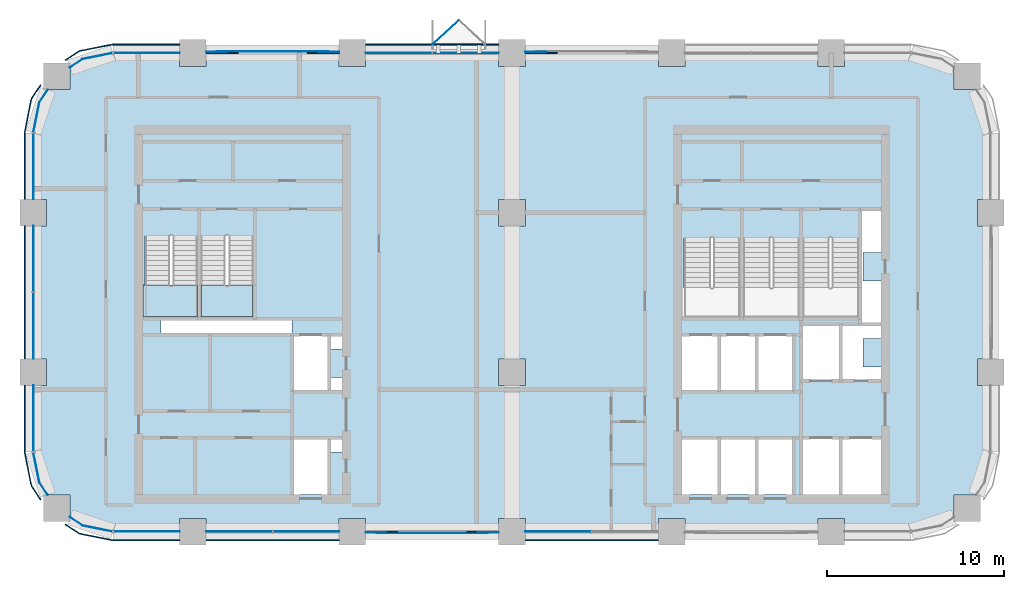
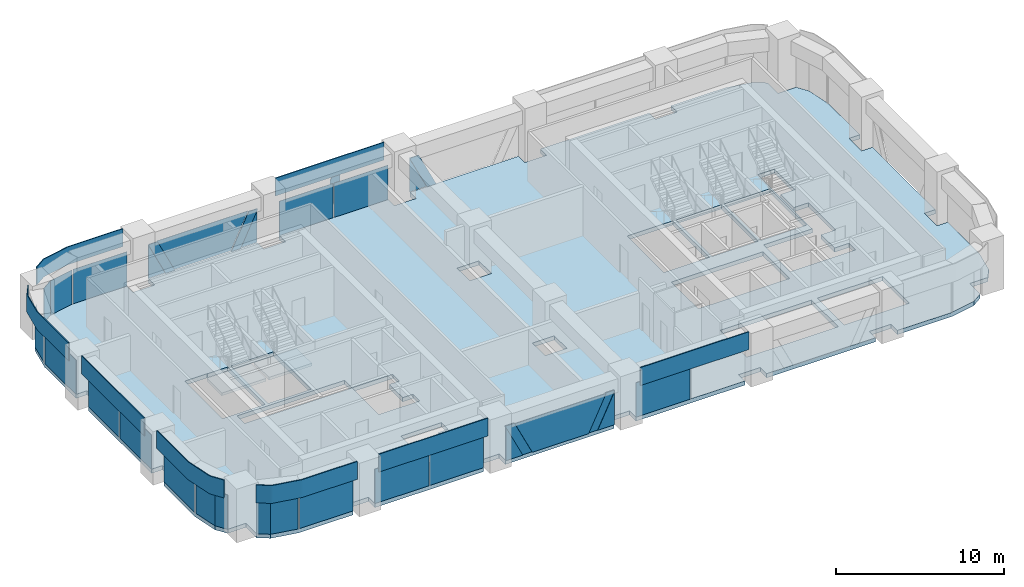
# One storey, part 7 of 14: 36 plates, 3 slabs, 13 elements without a shape of their own.
"""IFC4 building model written with IfcOpenShell, lengths in metres."""

from ifc_helpers import new_model, si_unit, direction, frame, origin, origin_2d, place, context, subcontext, project, spatial, polyline, rectangle, outline, extrude, material, layer, layer_set, type_object, element, aggregate, save


model = new_model("IFC4")

# Units and contexts
model_context = context("Model", 3, precision=1e-05, world=origin(), true_north=direction((0.0, 1.0)))
body_context = subcontext(model_context, "Body", "Model", "MODEL_VIEW")
ifc_project = project(units=[si_unit("LENGTHUNIT", "METRE"), si_unit("AREAUNIT", "SQUARE_METRE"), si_unit("VOLUMEUNIT", "CUBIC_METRE"), si_unit("PLANEANGLEUNIT", "RADIAN"), si_unit("MASSUNIT", "GRAM", prefix="KILO")], contexts=[model_context])

# Site, building, storey
site_placement = place(None, origin())
site = spatial("IfcSite", under=ifc_project, at=site_placement, CompositionType="ELEMENT")
building_placement = place(site_placement, origin())
building = spatial("IfcBuilding", under=site, at=building_placement, Name="Tessera Arch", CompositionType="ELEMENT")
storey_placement = place(building_placement, frame((0.0, 0.0, 177.800048828125)))
storey = spatial("IfcBuildingStorey", under=building, at=storey_placement, Name="L42", CompositionType="ELEMENT", Elevation=177.800048828125)

# Curtain wall, plates
ifc_material_1 = material(Name="CW1 curtain wall")
curtain_wall_type_1 = type_object("IfcCurtainWallType", Name="CW1 curtain wall", PredefinedType="NOTDEFINED", material=ifc_material_1)
curtain_wall_1_placement = place(storey_placement, origin())
curtain_wall_1 = element("IfcCurtainWall", 1, at=curtain_wall_1_placement, inside=storey, type_object=curtain_wall_type_1, Name="CW1 curtain wall N54.0/3 L42", PredefinedType="NOTDEFINED")
ifc_material_2 = material(Name="Clear low-e glass", Category="glass")
ifc_material_3 = material(Name="Clear low-e glass", Category="glass")
ifc_layer_1 = layer(ifc_material_3, 0.028076171875)
ifc_layer_set_1 = layer_set([ifc_layer_1], Name="CW1 glass panel")
plate_type_1 = type_object("IfcPlateType", Name="CW1 glass panel", PredefinedType="CURTAIN_PANEL", material=ifc_layer_set_1)
plate_1_placement = place(storey_placement, frame((24.389892578125, 54.0, 0.0), z_axis=(0.0, 0.0, 1.0), x_axis=(-1.0, 0.0, 0.0)))
plate_1 = element("IfcPlate", 2, at=plate_1_placement, type_object=plate_type_1, material=ifc_material_2, Name="CW1 glass panel N54.0/3 1.1.1", PredefinedType="CURTAIN_PANEL", context=body_context, shape_type="SweptSolid", body=[
    extrude(rectangle(XDim=3.719970703125, YDim=0.028076171875, at=origin_2d()), origin(), (0.0, 0.0, 1.0), 2.5),
])
plate_2_placement = place(storey_placement, frame((20.610107421875, 54.0, 0.0), z_axis=(0.0, 0.0, 1.0), x_axis=(-1.0, 0.0, 0.0)))
plate_2 = element("IfcPlate", 3, at=plate_2_placement, type_object=plate_type_1, material=ifc_material_2, Name="CW1 glass panel N54.0/3 1.2.1", PredefinedType="CURTAIN_PANEL", context=body_context, shape_type="SweptSolid", body=[
    extrude(rectangle(XDim=3.719970703125, YDim=0.028076171875, at=origin_2d()), origin(), (0.0, 0.0, 1.0), 2.5),
])

curtain_wall_2_placement = place(storey_placement, origin())
curtain_wall_2 = element("IfcCurtainWall", 4, at=curtain_wall_2_placement, inside=storey, type_object=curtain_wall_type_1, Name="CW1 curtain wall W0.27/1 L42", PredefinedType="NOTDEFINED")
plate_3_placement = place(storey_placement, frame((0.0, 42.389892578125, 0.0), z_axis=(0.0, 0.0, 1.0), x_axis=(0.0, -1.0, 0.0)))
plate_3 = element("IfcPlate", 5, at=plate_3_placement, type_object=plate_type_1, material=ifc_material_2, Name="CW1 glass panel W0.27/1 1.1.1", PredefinedType="CURTAIN_PANEL", context=body_context, shape_type="SweptSolid", body=[
    extrude(rectangle(XDim=3.719970703125, YDim=0.028076171875, at=origin_2d()), origin(), (0.0, 0.0, 1.0), 2.5),
])
plate_4_placement = place(storey_placement, frame((0.0, 38.610107421875, 0.0), z_axis=(0.0, 0.0, 1.0), x_axis=(0.0, -1.0, 0.0)))
plate_4 = element("IfcPlate", 6, at=plate_4_placement, type_object=plate_type_1, material=ifc_material_2, Name="CW1 glass panel W0.27/1 1.2.1", PredefinedType="CURTAIN_PANEL", context=body_context, shape_type="SweptSolid", body=[
    extrude(rectangle(XDim=3.719970703125, YDim=0.028076171875, at=origin_2d()), origin(), (0.0, 0.0, 1.0), 2.5),
])

curtain_wall_3_placement = place(storey_placement, origin())
curtain_wall_3 = element("IfcCurtainWall", 7, at=curtain_wall_3_placement, inside=storey, type_object=curtain_wall_type_1, Name="CW1 curtain wall S27.0/1 L42", PredefinedType="NOTDEFINED")
plate_5_placement = place(storey_placement, frame((11.610107421875, 27.0, 0.0), z_axis=(0.0, 0.0, 1.0), x_axis=(1.0, 0.0, 0.0)))
plate_5 = element("IfcPlate", 8, at=plate_5_placement, type_object=plate_type_1, material=ifc_material_2, Name="CW1 glass panel S27.0/1 1.1.1", PredefinedType="CURTAIN_PANEL", context=body_context, shape_type="SweptSolid", body=[
    extrude(rectangle(XDim=3.719970703125, YDim=0.028076171875, at=origin_2d()), origin(), (0.0, 0.0, 1.0), 2.5),
])
plate_6_placement = place(storey_placement, frame((15.389892578125, 27.0, 0.0), z_axis=(0.0, 0.0, 1.0), x_axis=(1.0, 0.0, 0.0)))
plate_6 = element("IfcPlate", 9, at=plate_6_placement, type_object=plate_type_1, material=ifc_material_2, Name="CW1 glass panel S27.0/1 1.2.1", PredefinedType="CURTAIN_PANEL", context=body_context, shape_type="SweptSolid", body=[
    extrude(rectangle(XDim=3.719970703125, YDim=0.028076171875, at=origin_2d()), origin(), (0.0, 0.0, 1.0), 2.5),
])

# Curtain wall, plate
curtain_wall_4_placement = place(storey_placement, origin())
curtain_wall_4 = element("IfcCurtainWall", 10, at=curtain_wall_4_placement, inside=storey, type_object=curtain_wall_type_1, Name="CW1 curtain wall S27.0/3 L42", PredefinedType="NOTDEFINED")
plate_7_placement = place(storey_placement, frame((29.610107421875, 27.0, 0.0), z_axis=(0.0, 0.0, 1.0), x_axis=(1.0, 0.0, 0.0)))
plate_7 = element("IfcPlate", 11, at=plate_7_placement, type_object=plate_type_1, material=ifc_material_2, Name="CW1 glass panel S27.0/3 1.1.1", PredefinedType="CURTAIN_PANEL", context=body_context, shape_type="SweptSolid", body=[
    extrude(rectangle(XDim=3.719970703125, YDim=0.028076171875, at=origin_2d()), origin(), (0.0, 0.0, 1.0), 2.5),
])

# Plate
ifc_material_4 = material(Name="Pale anodised aluminium panel", Category="aluminium")
ifc_layer_2 = layer(ifc_material_4, 0.06005859375)
ifc_layer_set_2 = layer_set([ifc_layer_2], Name="CW1 spandrel panel")
plate_type_2 = type_object("IfcPlateType", Name="CW1 spandrel panel", PredefinedType="CURTAIN_PANEL", material=ifc_layer_set_2)
plate_8_placement = place(storey_placement, frame((22.5, 54.47998046875, 2.60009765625), z_axis=(0.0, 0.0, 1.0), x_axis=(-1.0, 0.0, 0.0)))
plate_8 = element("IfcPlate", 12, at=plate_8_placement, type_object=plate_type_2, Name="CW1 spandrel panel N54.0/3", PredefinedType="CURTAIN_PANEL", context=body_context, shape_type="SweptSolid", body=[
    extrude(rectangle(XDim=7.5, YDim=0.06005859375, at=origin_2d()), origin(), (0.0, 0.0, 1.0), 1.300048828125),
])

aggregate(curtain_wall_1, [plate_1, plate_2, plate_8])

plate_9_placement = place(storey_placement, frame((-0.47998046875, 40.5, 2.60009765625), z_axis=(0.0, 0.0, 1.0), x_axis=(0.0, -1.0, 0.0)))
plate_9 = element("IfcPlate", 13, at=plate_9_placement, type_object=plate_type_2, Name="CW1 spandrel panel W0.27/1", PredefinedType="CURTAIN_PANEL", context=body_context, shape_type="SweptSolid", body=[
    extrude(rectangle(XDim=7.5, YDim=0.06005859375, at=origin_2d()), origin(), (0.0, 0.0, 1.0), 1.300048828125),
])

aggregate(curtain_wall_2, [plate_3, plate_4, plate_9])

plate_10_placement = place(storey_placement, frame((13.5, 26.52001953125, 2.60009765625), z_axis=(0.0, 0.0, 1.0), x_axis=(1.0, 0.0, 0.0)))
plate_10 = element("IfcPlate", 14, at=plate_10_placement, type_object=plate_type_2, Name="CW1 spandrel panel S27.0/1", PredefinedType="CURTAIN_PANEL", context=body_context, shape_type="SweptSolid", body=[
    extrude(rectangle(XDim=7.5, YDim=0.06005859375, at=origin_2d()), origin(), (0.0, 0.0, 1.0), 1.300048828125),
])

aggregate(curtain_wall_3, [plate_5, plate_6, plate_10])

plate_11_placement = place(storey_placement, frame((31.5, 26.52001953125, 2.60009765625), z_axis=(0.0, 0.0, 1.0), x_axis=(1.0, 0.0, 0.0)))
plate_11 = element("IfcPlate", 15, at=plate_11_placement, type_object=plate_type_2, Name="CW1 spandrel panel S27.0/3", PredefinedType="CURTAIN_PANEL", context=body_context, shape_type="SweptSolid", body=[
    extrude(rectangle(XDim=7.5, YDim=0.06005859375, at=origin_2d()), origin(), (0.0, 0.0, 1.0), 1.300048828125),
])

aggregate(curtain_wall_4, [plate_7, plate_11])

# Curtain wall, plates
ifc_material_5 = material(Name="CW2 curtain wall")
curtain_wall_type_2 = type_object("IfcCurtainWallType", Name="CW2 curtain wall", PredefinedType="NOTDEFINED", material=ifc_material_5)
curtain_wall_5_placement = place(storey_placement, origin())
curtain_wall_5 = element("IfcCurtainWall", 16, at=curtain_wall_5_placement, inside=storey, type_object=curtain_wall_type_2, Name="CW2 curtain wall N54.0/5 L42", PredefinedType="NOTDEFINED")
ifc_material_6 = material(Name="Clear low-e glass", Category="glass")
ifc_layer_3 = layer(ifc_material_6, 0.028076171875)
ifc_layer_set_3 = layer_set([ifc_layer_3], Name="CW2 glass panel")
plate_type_3 = type_object("IfcPlateType", Name="CW2 glass panel", PredefinedType="CURTAIN_PANEL", material=ifc_layer_set_3)
plate_12_placement = place(storey_placement, frame((6.39501953125, 54.0, 0.0), z_axis=(0.0, 0.0, 1.0), x_axis=(-1.0, 0.0, 0.0)))
plate_12 = element("IfcPlate", 17, at=plate_12_placement, type_object=plate_type_3, material=ifc_material_2, Name="CW2 glass panel N54.0/5 1.1", PredefinedType="CURTAIN_PANEL", context=body_context, shape_type="SweptSolid", body=[
    extrude(rectangle(XDim=3.7099609375, YDim=0.028076171875, at=origin_2d()), origin(), (0.0, 0.0, 1.0), 2.5),
])
plate_13_placement = place(storey_placement, origin())
plate_13 = element("IfcPlate", 18, at=plate_13_placement, type_object=plate_type_3, material=ifc_material_2, Name="CW2 curved glass panel N54.0/5 2.1", PredefinedType="CURTAIN_PANEL", context=body_context, shape_type="SweptSolid", body=[
    extrude(outline(polyline([(2.783447265625, 53.644287109375), (4.46337890625, 53.978515625), (4.4580078125, 54.005859375), (2.7724609375, 53.670654296875), (2.060302734375, 53.19482421875), (2.07568359375, 53.17138671875), (2.783447265625, 53.644287109375)])), origin(), (0.0, 0.0, 1.0), 2.5),
])

curtain_wall_6_placement = place(storey_placement, origin())
curtain_wall_6 = element("IfcCurtainWall", 19, at=curtain_wall_6_placement, inside=storey, type_object=curtain_wall_type_2, Name="CW2 curtain wall W0.27/0 L42", PredefinedType="NOTDEFINED")
plate_14_placement = place(storey_placement, frame((0.0, 47.60498046875, 0.0), z_axis=(0.0, 0.0, 1.0), x_axis=(0.0, -1.0, 0.0)))
plate_14 = element("IfcPlate", 20, at=plate_14_placement, type_object=plate_type_3, material=ifc_material_2, Name="CW2 glass panel W0.27/0 1.1", PredefinedType="CURTAIN_PANEL", context=body_context, shape_type="SweptSolid", body=[
    extrude(rectangle(XDim=3.7099609375, YDim=0.028076171875, at=origin_2d()), origin(), (0.0, 0.0, 1.0), 2.5),
])
plate_15_placement = place(storey_placement, origin())
plate_15 = element("IfcPlate", 21, at=plate_15_placement, type_object=plate_type_3, material=ifc_material_2, Name="CW2 curved glass panel W0.27/0 2.1", PredefinedType="CURTAIN_PANEL", context=body_context, shape_type="SweptSolid", body=[
    extrude(outline(polyline([(0.355712890625, 51.216552734375), (0.82861328125, 51.92431640625), (0.80517578125, 51.939697265625), (0.329345703125, 51.2275390625), (-0.005859375, 49.5419921875), (0.021484375, 49.53662109375), (0.355712890625, 51.216552734375)])), origin(), (0.0, 0.0, 1.0), 2.5),
])

curtain_wall_7_placement = place(storey_placement, origin())
curtain_wall_7 = element("IfcCurtainWall", 22, at=curtain_wall_7_placement, inside=storey, type_object=curtain_wall_type_2, Name="CW2 curtain wall W0.27/2 L42", PredefinedType="NOTDEFINED")
plate_16_placement = place(storey_placement, frame((0.0, 33.39501953125, 0.0), z_axis=(0.0, 0.0, 1.0), x_axis=(0.0, -1.0, 0.0)))
plate_16 = element("IfcPlate", 23, at=plate_16_placement, type_object=plate_type_3, material=ifc_material_2, Name="CW2 glass panel W0.27/2 1.1", PredefinedType="CURTAIN_PANEL", context=body_context, shape_type="SweptSolid", body=[
    extrude(rectangle(XDim=3.7099609375, YDim=0.028076171875, at=origin_2d()), origin(), (0.0, 0.0, 1.0), 2.5),
])
plate_17_placement = place(storey_placement, origin())
plate_17 = element("IfcPlate", 24, at=plate_17_placement, type_object=plate_type_3, material=ifc_material_2, Name="CW2 curved glass panel W0.27/2 2.1", PredefinedType="CURTAIN_PANEL", context=body_context, shape_type="SweptSolid", body=[
    extrude(outline(polyline([(0.355712890625, 29.783447265625), (0.021484375, 31.46337890625), (-0.005859375, 31.4580078125), (0.329345703125, 29.7724609375), (0.80517578125, 29.060302734375), (0.82861328125, 29.07568359375), (0.355712890625, 29.783447265625)])), origin(), (0.0, 0.0, 1.0), 2.5),
])

curtain_wall_8_placement = place(storey_placement, origin())
curtain_wall_8 = element("IfcCurtainWall", 25, at=curtain_wall_8_placement, inside=storey, type_object=curtain_wall_type_2, Name="CW2 curtain wall S27.0/0 L42", PredefinedType="NOTDEFINED")
plate_18_placement = place(storey_placement, frame((6.39501953125, 27.0, 0.0), z_axis=(0.0, 0.0, 1.0), x_axis=(1.0, 0.0, 0.0)))
plate_18 = element("IfcPlate", 26, at=plate_18_placement, type_object=plate_type_3, material=ifc_material_2, Name="CW2 glass panel S27.0/0 1.1", PredefinedType="CURTAIN_PANEL", context=body_context, shape_type="SweptSolid", body=[
    extrude(rectangle(XDim=3.7099609375, YDim=0.028076171875, at=origin_2d()), origin(), (0.0, 0.0, 1.0), 2.5),
])
plate_19_placement = place(storey_placement, origin())
plate_19 = element("IfcPlate", 27, at=plate_19_placement, type_object=plate_type_3, material=ifc_material_2, Name="CW2 curved glass panel S27.0/0 2.1", PredefinedType="CURTAIN_PANEL", context=body_context, shape_type="SweptSolid", body=[
    extrude(outline(polyline([(2.783447265625, 27.355712890625), (2.07568359375, 27.82861328125), (2.060302734375, 27.80517578125), (2.7724609375, 27.329345703125), (4.4580078125, 26.994140625), (4.46337890625, 27.021484375), (2.783447265625, 27.355712890625)])), origin(), (0.0, 0.0, 1.0), 2.5),
])

# Plate
ifc_material_7 = material(Name="Pale anodised aluminium panel", Category="aluminium")
ifc_layer_4 = layer(ifc_material_7, 0.06005859375)
ifc_layer_set_4 = layer_set([ifc_layer_4], Name="CW2 spandrel panel")
plate_type_4 = type_object("IfcPlateType", Name="CW2 spandrel panel", PredefinedType="CURTAIN_PANEL", material=ifc_layer_set_4)
plate_20_placement = place(storey_placement, frame((0.0, 0.0, 2.599853515625)))
plate_20 = element("IfcPlate", 28, at=plate_20_placement, type_object=plate_type_4, Name="CW2 spandrel panel N54.0/5", PredefinedType="CURTAIN_PANEL", context=body_context, shape_type="SweptSolid", body=[
    extrude(outline(polyline([(4.500732421875, 54.449951171875), (8.25, 54.449951171875), (8.25, 54.510009765625), (4.499267578125, 54.510009765625), (4.449951171875, 54.507568359375), (4.401123046875, 54.500244140625), (2.677734375, 54.157470703125), (2.6298828125, 54.1455078125), (2.582763671875, 54.128662109375), (2.537353515625, 54.107421875), (2.4951171875, 54.08203125), (1.78466796875, 53.607177734375), (1.81787109375, 53.55712890625), (2.52734375, 54.03125), (2.565673828125, 54.054443359375), (2.605712890625, 54.0732421875), (2.647216796875, 54.088134765625), (2.69091796875, 54.09912109375), (4.411376953125, 54.441162109375), (4.455810546875, 54.44775390625), (4.500732421875, 54.449951171875)])), origin(), (0.0, 0.0, 1.0), 1.300048828125),
])

aggregate(curtain_wall_5, [plate_12, plate_13, plate_20])

plate_21_placement = place(storey_placement, frame((0.0, 0.0, 2.599853515625)))
plate_21 = element("IfcPlate", 29, at=plate_21_placement, type_object=plate_type_4, Name="CW2 spandrel panel W0.27/0", PredefinedType="CURTAIN_PANEL", context=body_context, shape_type="SweptSolid", body=[
    extrude(outline(polyline([(-0.03125, 51.47265625), (0.44287109375, 52.18212890625), (0.392822265625, 52.21533203125), (-0.08203125, 51.5048828125), (-0.107421875, 51.462646484375), (-0.128662109375, 51.417236328125), (-0.1455078125, 51.3701171875), (-0.157470703125, 51.322265625), (-0.500244140625, 49.598876953125), (-0.507568359375, 49.550048828125), (-0.510009765625, 49.500732421875), (-0.510009765625, 45.75), (-0.449951171875, 45.75), (-0.449951171875, 49.499267578125), (-0.44775390625, 49.544189453125), (-0.441162109375, 49.588623046875), (-0.09912109375, 51.30908203125), (-0.088134765625, 51.352783203125), (-0.0732421875, 51.394287109375), (-0.054443359375, 51.434326171875), (-0.03125, 51.47265625)])), origin(), (0.0, 0.0, 1.0), 1.300048828125),
])

aggregate(curtain_wall_6, [plate_14, plate_15, plate_21])

plate_22_placement = place(storey_placement, frame((0.0, 0.0, 2.599853515625)))
plate_22 = element("IfcPlate", 30, at=plate_22_placement, type_object=plate_type_4, Name="CW2 spandrel panel W0.27/2", PredefinedType="CURTAIN_PANEL", context=body_context, shape_type="SweptSolid", body=[
    extrude(outline(polyline([(-0.449951171875, 31.500732421875), (-0.449951171875, 35.25), (-0.510009765625, 35.25), (-0.510009765625, 31.499267578125), (-0.507568359375, 31.449951171875), (-0.500244140625, 31.401123046875), (-0.157470703125, 29.677734375), (-0.1455078125, 29.6298828125), (-0.128662109375, 29.582763671875), (-0.107421875, 29.537353515625), (-0.08203125, 29.4951171875), (0.392822265625, 28.78466796875), (0.44287109375, 28.81787109375), (-0.03125, 29.52734375), (-0.054443359375, 29.565673828125), (-0.0732421875, 29.605712890625), (-0.088134765625, 29.647216796875), (-0.09912109375, 29.69091796875), (-0.441162109375, 31.411376953125), (-0.44775390625, 31.455810546875), (-0.449951171875, 31.500732421875)])), origin(), (0.0, 0.0, 1.0), 1.300048828125),
])

aggregate(curtain_wall_7, [plate_16, plate_17, plate_22])

plate_23_placement = place(storey_placement, frame((0.0, 0.0, 2.599853515625)))
plate_23 = element("IfcPlate", 31, at=plate_23_placement, type_object=plate_type_4, Name="CW2 spandrel panel S27.0/0", PredefinedType="CURTAIN_PANEL", context=body_context, shape_type="SweptSolid", body=[
    extrude(outline(polyline([(2.52734375, 26.96875), (1.81787109375, 27.44287109375), (1.78466796875, 27.392822265625), (2.4951171875, 26.91796875), (2.537353515625, 26.892578125), (2.582763671875, 26.871337890625), (2.6298828125, 26.8544921875), (2.677734375, 26.842529296875), (4.401123046875, 26.499755859375), (4.449951171875, 26.492431640625), (4.499267578125, 26.489990234375), (8.25, 26.489990234375), (8.25, 26.550048828125), (4.500732421875, 26.550048828125), (4.455810546875, 26.55224609375), (4.411376953125, 26.558837890625), (2.69091796875, 26.90087890625), (2.647216796875, 26.911865234375), (2.605712890625, 26.9267578125), (2.565673828125, 26.945556640625), (2.52734375, 26.96875)])), origin(), (0.0, 0.0, 1.0), 1.300048828125),
])

aggregate(curtain_wall_8, [plate_18, plate_19, plate_23])

# Curtain wall, plate
ifc_material_8 = material(Name="CW3 curtain wall")
curtain_wall_type_3 = type_object("IfcCurtainWallType", Name="CW3 curtain wall", PredefinedType="NOTDEFINED", material=ifc_material_8)
curtain_wall_9_placement = place(storey_placement, origin())
curtain_wall_9 = element("IfcCurtainWall", 32, at=curtain_wall_9_placement, inside=storey, type_object=curtain_wall_type_3, Name="CW3 curtain wall N54.0/2 L42", PredefinedType="NOTDEFINED")
ifc_material_9 = material(Name="Pale anodised aluminium panel", Category="aluminium")
ifc_layer_5 = layer(ifc_material_9, 0.06005859375)
ifc_layer_set_5 = layer_set([ifc_layer_5], Name="CW3 diagonal panel")
plate_type_5 = type_object("IfcPlateType", Name="CW3 diagonal panel", PredefinedType="CURTAIN_PANEL", material=ifc_layer_set_5)
plate_24_placement = place(storey_placement, frame((27.75, 54.030029296875, 2.5), z_axis=(0.0, 1.0, 0.0), x_axis=(1.0, 0.0, 0.0)))
plate_24 = element("IfcPlate", 33, at=plate_24_placement, type_object=plate_type_5, Name="CW3 diagonal panel N54.0/2 1", PredefinedType="CURTAIN_PANEL", context=body_context, shape_type="SweptSolid", body=[
    extrude(outline(polyline([(0.0, 0.0), (0.608642578125, 0.0), (1.810546875, 2.5), (1.170166015625, 2.5), (0.0, 0.06591796875), (0.0, 0.0)])), origin(), (0.0, 0.0, -1.0), 0.06005859375),
])

# Curtain wall, plates
curtain_wall_10_placement = place(storey_placement, origin())
curtain_wall_10 = element("IfcCurtainWall", 34, at=curtain_wall_10_placement, inside=storey, type_object=curtain_wall_type_3, Name="CW3 curtain wall N54.0/4 L42", PredefinedType="NOTDEFINED")
plate_25_placement = place(storey_placement, frame((9.75, 54.030029296875, 2.5), z_axis=(0.0, 1.0, 0.0), x_axis=(1.0, 0.0, 0.0)))
plate_25 = element("IfcPlate", 35, at=plate_25_placement, type_object=plate_type_5, Name="CW3 diagonal panel N54.0/4 1", PredefinedType="CURTAIN_PANEL", context=body_context, shape_type="SweptSolid", body=[
    extrude(outline(polyline([(0.0, 0.0), (0.608642578125, 0.0), (1.810546875, 2.5), (1.170166015625, 2.5), (0.0, 0.06591796875), (0.0, 0.0)])), origin(), (0.0, 0.0, -1.0), 0.06005859375),
])
plate_26_placement = place(storey_placement, frame((17.25, 54.030029296875, 2.5), z_axis=(0.0, 1.0, 0.0), x_axis=(0.0, 0.0, -1.0)))
plate_26 = element("IfcPlate", 36, at=plate_26_placement, type_object=plate_type_5, Name="CW3 diagonal panel N54.0/4 2", PredefinedType="CURTAIN_PANEL", context=body_context, shape_type="SweptSolid", body=[
    extrude(outline(polyline([(0.0, 0.0), (0.06591796875, 0.0), (2.5, 1.170166015625), (2.5, 1.810546875), (0.0, 0.608642578125), (0.0, 0.0)])), origin(), (0.0, 0.0, -1.0), 0.06005859375),
])

curtain_wall_11_placement = place(storey_placement, origin())
curtain_wall_11 = element("IfcCurtainWall", 37, at=curtain_wall_11_placement, inside=storey, type_object=curtain_wall_type_3, Name="CW3 curtain wall S27.0/2 L42", PredefinedType="NOTDEFINED")
plate_27_placement = place(storey_placement, frame((26.25, 26.969970703125, 2.5), z_axis=(0.0, -1.0, 0.0), x_axis=(-1.0, 0.0, 0.0)))
plate_27 = element("IfcPlate", 38, at=plate_27_placement, type_object=plate_type_5, Name="CW3 diagonal panel S27.0/2 1", PredefinedType="CURTAIN_PANEL", context=body_context, shape_type="SweptSolid", body=[
    extrude(outline(polyline([(0.0, 0.0), (0.608642578125, 0.0), (1.810546875, 2.5), (1.170166015625, 2.5), (0.0, 0.06591796875), (0.0, 0.0)])), origin(), (0.0, 0.0, -1.0), 0.06005859375),
])
plate_28_placement = place(storey_placement, frame((18.75, 26.969970703125, 2.5), z_axis=(0.0, -1.0, 0.0), x_axis=(0.0, 0.0, -1.0)))
plate_28 = element("IfcPlate", 39, at=plate_28_placement, type_object=plate_type_5, Name="CW3 diagonal panel S27.0/2 2", PredefinedType="CURTAIN_PANEL", context=body_context, shape_type="SweptSolid", body=[
    extrude(outline(polyline([(0.0, 0.0), (0.06591796875, 0.0), (2.5, 1.170166015625), (2.5, 1.810546875), (0.0, 0.608642578125), (0.0, 0.0)])), origin(), (0.0, 0.0, -1.0), 0.06005859375),
])

# Plate
ifc_material_10 = material(Name="Clear low-e glass", Category="glass")
ifc_layer_6 = layer(ifc_material_10, 0.028076171875)
ifc_layer_set_6 = layer_set([ifc_layer_6], Name="CW3 glass panel")
plate_type_6 = type_object("IfcPlateType", Name="CW3 glass panel", PredefinedType="CURTAIN_PANEL", material=ifc_layer_set_6)
plate_29_placement = place(storey_placement, frame((27.75, 54.05810546875, 0.0), z_axis=(0.0, 1.0, 0.0), x_axis=(0.0, 0.0, 1.0)))
plate_29 = element("IfcPlate", 40, at=plate_29_placement, type_object=plate_type_6, material=ifc_material_2, Name="CW3 triangulated glass panel N54.0/2 3", PredefinedType="CURTAIN_PANEL", context=body_context, shape_type="SweptSolid", body=[
    extrude(outline(polyline([(0.0, 0.0), (2.43408203125, 0.0), (0.0, 1.170166015625), (0.0, 0.0)])), origin(), (0.0, 0.0, -1.0), 0.028076171875),
])

aggregate(curtain_wall_9, [plate_29, plate_24])

plate_30_placement = place(storey_placement, frame((17.25, 54.05810546875, 0.0), z_axis=(0.0, 1.0, 0.0), x_axis=(-1.0, 0.0, 0.0)))
plate_30 = element("IfcPlate", 41, at=plate_30_placement, type_object=plate_type_6, material=ifc_material_2, Name="CW3 triangulated glass panel N54.0/4 1", PredefinedType="CURTAIN_PANEL", context=body_context, shape_type="SweptSolid", body=[
    extrude(outline(polyline([(0.0, 0.0), (1.170166015625, 0.0), (0.0, 2.43408203125), (0.0, 0.0)])), origin(), (0.0, 0.0, -1.0), 0.028076171875),
])

plate_31_placement = place(storey_placement, frame((10.358642578125, 54.0859375, 2.5), z_axis=(0.0, 1.0, 0.0), x_axis=(1.0, 0.0, 0.0)))
plate_31 = element("IfcPlate", 42, at=plate_31_placement, type_object=plate_type_6, material=ifc_material_2, Name="CW3 triangulated glass panel N54.0/4 2", PredefinedType="CURTAIN_PANEL", context=body_context, shape_type="SweptSolid", body=[
    extrude(outline(polyline([(0.0, 0.0), (6.28271484375, 0.0), (5.080810546875, 2.5), (1.201904296875, 2.5), (0.0, 0.0)])), origin(), (0.0, 0.0, -1.0), 0.028076171875),
])

plate_32_placement = place(storey_placement, frame((9.75, 54.05810546875, 0.0), z_axis=(0.0, 1.0, 0.0), x_axis=(0.0, 0.0, 1.0)))
plate_32 = element("IfcPlate", 43, at=plate_32_placement, type_object=plate_type_6, material=ifc_material_2, Name="CW3 triangulated glass panel N54.0/4 3", PredefinedType="CURTAIN_PANEL", context=body_context, shape_type="SweptSolid", body=[
    extrude(outline(polyline([(0.0, 0.0), (2.43408203125, 0.0), (0.0, 1.170166015625), (0.0, 0.0)])), origin(), (0.0, 0.0, -1.0), 0.028076171875),
])

aggregate(curtain_wall_10, [plate_30, plate_31, plate_32, plate_25, plate_26])

plate_33_placement = place(storey_placement, frame((18.75, 26.94189453125, 0.0), z_axis=(0.0, -1.0, 0.0), x_axis=(1.0, 0.0, 0.0)))
plate_33 = element("IfcPlate", 44, at=plate_33_placement, type_object=plate_type_6, material=ifc_material_2, Name="CW3 triangulated glass panel S27.0/2 1", PredefinedType="CURTAIN_PANEL", context=body_context, shape_type="SweptSolid", body=[
    extrude(outline(polyline([(0.0, 0.0), (1.170166015625, 0.0), (0.0, 2.43408203125), (0.0, 0.0)])), origin(), (0.0, 0.0, -1.0), 0.028076171875),
])

plate_34_placement = place(storey_placement, frame((25.641357421875, 26.9140625, 2.5), z_axis=(0.0, -1.0, 0.0), x_axis=(-1.0, 0.0, 0.0)))
plate_34 = element("IfcPlate", 45, at=plate_34_placement, type_object=plate_type_6, material=ifc_material_2, Name="CW3 triangulated glass panel S27.0/2 2", PredefinedType="CURTAIN_PANEL", context=body_context, shape_type="SweptSolid", body=[
    extrude(outline(polyline([(0.0, 0.0), (6.28271484375, 0.0), (5.080810546875, 2.5), (1.201904296875, 2.5), (0.0, 0.0)])), origin(), (0.0, 0.0, -1.0), 0.028076171875),
])

plate_35_placement = place(storey_placement, frame((26.25, 26.94189453125, 0.0), z_axis=(0.0, -1.0, 0.0), x_axis=(0.0, 0.0, 1.0)))
plate_35 = element("IfcPlate", 46, at=plate_35_placement, type_object=plate_type_6, material=ifc_material_2, Name="CW3 triangulated glass panel S27.0/2 3", PredefinedType="CURTAIN_PANEL", context=body_context, shape_type="SweptSolid", body=[
    extrude(outline(polyline([(0.0, 0.0), (2.43408203125, 0.0), (0.0, 1.170166015625), (0.0, 0.0)])), origin(), (0.0, 0.0, -1.0), 0.028076171875),
])

aggregate(curtain_wall_11, [plate_33, plate_34, plate_35, plate_27, plate_28])

# Slab
ifc_material_11 = material(Name="Concrete C40/50", Category="concrete")
ifc_layer_7 = layer(ifc_material_11, 0.300048828125)
ifc_layer_set_7 = layer_set([ifc_layer_7], Name="Floor slab 300 Concrete C40/50")
slab_type_1 = type_object("IfcSlabType", Name="Floor slab 300 Concrete C40/50", PredefinedType="FLOOR", material=ifc_layer_set_7)
slab_1_placement = place(storey_placement, frame((0.0, 0.0, -0.300048828125)))
element("IfcSlab", 47, at=slab_1_placement, inside=storey, type_object=slab_type_1, Name="Floor slab L42 1", PredefinedType="FLOOR", context=body_context, shape_type="SweptSolid", body=[
    extrude(outline(polyline([(54.0, 31.5), (53.657470703125, 29.77783203125), (53.18310546875, 29.068115234375), (51.931884765625, 29.068115234375), (51.931884765625, 27.81689453125), (51.22216796875, 27.342529296875), (49.5, 27.0), (45.75, 27.0), (45.75, 27.75), (44.25, 27.75), (44.25, 27.0), (36.75, 27.0), (36.75, 27.75), (35.25, 27.75), (35.25, 27.0), (27.75, 27.0), (27.75, 27.75), (26.25, 27.75), (26.25, 27.0), (18.75, 27.0), (18.75, 27.75), (17.25, 27.75), (17.25, 27.0), (9.75, 27.0), (9.75, 27.75), (8.25, 27.75), (8.25, 27.0), (4.5, 27.0), (2.77783203125, 27.342529296875), (2.068115234375, 27.81689453125), (2.068115234375, 29.068115234375), (0.81689453125, 29.068115234375), (0.342529296875, 29.77783203125), (0.0, 31.5), (0.0, 35.25), (0.75, 35.25), (0.75, 36.75), (0.0, 36.75), (0.0, 44.25), (0.75, 44.25), (0.75, 45.75), (0.0, 45.75), (0.0, 49.5), (0.342529296875, 51.22216796875), (0.81689453125, 51.931884765625), (2.068115234375, 51.931884765625), (2.068115234375, 53.18310546875), (2.77783203125, 53.657470703125), (4.5, 54.0), (8.25, 54.0), (8.25, 53.25), (9.75, 53.25), (9.75, 54.0), (17.25, 54.0), (17.25, 53.25), (18.75, 53.25), (18.75, 54.0), (26.25, 54.0), (26.25, 53.25), (27.75, 53.25), (27.75, 54.0), (35.25, 54.0), (35.25, 53.25), (36.75, 53.25), (36.75, 54.0), (44.25, 54.0), (44.25, 53.25), (45.75, 53.25), (45.75, 54.0), (49.5, 54.0), (51.22216796875, 53.657470703125), (51.931884765625, 53.18310546875), (51.931884765625, 51.931884765625), (53.18310546875, 51.931884765625), (53.657470703125, 51.22216796875), (54.0, 49.5), (54.0, 45.75), (53.25, 45.75), (53.25, 44.25), (54.0, 44.25), (54.0, 36.75), (53.25, 36.75), (53.25, 35.25), (54.0, 35.25), (54.0, 31.5)]), holes=[polyline([(14.60009765625, 29.10009765625), (16.699951171875, 29.10009765625), (16.699951171875, 31.5), (17.39990234375, 31.5), (17.39990234375, 32.300048828125), (16.699951171875, 32.300048828125), (14.60009765625, 32.300048828125), (14.60009765625, 29.10009765625)]), polyline([(26.25, 36.75), (26.25, 35.25), (27.75, 35.25), (27.75, 36.75), (26.25, 36.75)]), polyline([(17.39990234375, 37.300048828125), (17.39990234375, 38.10009765625), (16.699951171875, 38.10009765625), (14.60498046875, 38.10009765625), (14.60498046875, 38.10498046875), (14.60009765625, 38.10498046875), (14.60009765625, 39.0), (7.199951171875, 39.0), (7.199951171875, 38.10009765625), (14.594970703125, 38.10009765625), (14.594970703125, 38.094970703125), (14.60009765625, 38.094970703125), (14.60009765625, 34.89990234375), (16.699951171875, 34.89990234375), (17.39990234375, 34.89990234375), (17.39990234375, 35.699951171875), (16.699951171875, 35.699951171875), (16.699951171875, 37.300048828125), (17.39990234375, 37.300048828125)]), polyline([(6.300048828125, 43.68994140625), (6.300048828125, 39.199951171875), (9.25, 39.199951171875), (9.25, 43.68994140625), (7.85009765625, 43.68994140625), (7.85009765625, 43.699951171875), (7.699951171875, 43.699951171875), (7.699951171875, 43.68994140625), (6.300048828125, 43.68994140625)]), polyline([(9.449951171875, 39.199951171875), (12.39990234375, 39.199951171875), (12.39990234375, 43.68994140625), (11.0, 43.68994140625), (11.0, 43.699951171875), (10.85009765625, 43.699951171875), (10.85009765625, 43.68994140625), (9.449951171875, 43.68994140625), (9.449951171875, 39.199951171875)]), polyline([(38.699951171875, 29.10009765625), (40.800048828125, 29.10009765625), (42.89990234375, 29.10009765625), (42.89990234375, 32.300048828125), (40.800048828125, 32.300048828125), (38.699951171875, 32.300048828125), (36.60009765625, 32.300048828125), (36.60009765625, 29.10009765625), (38.699951171875, 29.10009765625)]), polyline([(45.550048828125, 32.300048828125), (43.300048828125, 32.300048828125), (43.300048828125, 29.10009765625), (45.550048828125, 29.10009765625), (47.800048828125, 29.10009765625), (47.800048828125, 32.300048828125), (45.550048828125, 32.300048828125)]), polyline([(40.800048828125, 34.89990234375), (42.89990234375, 34.89990234375), (42.89990234375, 38.10009765625), (40.800048828125, 38.10009765625), (38.699951171875, 38.10009765625), (36.60009765625, 38.10009765625), (36.60009765625, 34.89990234375), (38.699951171875, 34.89990234375), (40.800048828125, 34.89990234375)]), polyline([(47.800048828125, 42.75), (47.800048828125, 45.199951171875), (46.64990234375, 45.199951171875), (46.64990234375, 38.699951171875), (45.550048828125, 38.699951171875), (43.300048828125, 38.699951171875), (43.300048828125, 35.5), (45.550048828125, 35.5), (47.800048828125, 35.5), (47.800048828125, 36.300048828125), (46.800048828125, 36.300048828125), (46.800048828125, 37.89990234375), (47.800048828125, 37.89990234375), (47.800048828125, 38.699951171875), (47.800048828125, 41.14990234375), (46.800048828125, 41.14990234375), (46.800048828125, 42.75), (47.800048828125, 42.75)]), polyline([(36.699951171875, 39.199951171875), (39.85009765625, 39.199951171875), (39.85009765625, 43.570068359375), (38.330078125, 43.570068359375), (38.330078125, 43.580078125), (38.219970703125, 43.580078125), (38.219970703125, 43.570068359375), (36.699951171875, 43.570068359375), (36.699951171875, 39.199951171875)]), polyline([(40.050048828125, 39.199951171875), (43.199951171875, 39.199951171875), (43.199951171875, 43.570068359375), (41.679931640625, 43.570068359375), (41.679931640625, 43.580078125), (41.570068359375, 43.580078125), (41.570068359375, 43.570068359375), (40.050048828125, 43.570068359375), (40.050048828125, 39.199951171875)]), polyline([(43.39990234375, 43.570068359375), (43.39990234375, 39.199951171875), (46.550048828125, 39.199951171875), (46.550048828125, 43.570068359375), (45.030029296875, 43.570068359375), (45.030029296875, 43.580078125), (44.919921875, 43.580078125), (44.919921875, 43.570068359375), (43.39990234375, 43.570068359375)]), polyline([(26.25, 45.75), (26.25, 44.25), (27.75, 44.25), (27.75, 45.75), (26.25, 45.75)])]), origin(), (0.0, 0.0, 1.0), 0.300048828125),
])

# Stair, slab
ifc_material_12 = material(Name="Concrete C40/50", Category="concrete")
stair_type = type_object("IfcStairType", Name="Dogleg stair 1400", PredefinedType="HALF_TURN_STAIR", material=ifc_material_12)
stair_1_placement = place(storey_placement, origin())
stair_1 = element("IfcStair", 48, at=stair_1_placement, inside=storey, type_object=stair_type, Name="L42 S2a", PredefinedType="HALF_TURN_STAIR")
ifc_material_13 = material(Name="Concrete C40/50", Category="concrete")
ifc_layer_8 = layer(ifc_material_13, 0.300048828125)
ifc_layer_set_8 = layer_set([ifc_layer_8], Name="Stair landing 300")
slab_type_2 = type_object("IfcSlabType", Name="Stair landing 300", PredefinedType="LANDING", material=ifc_layer_set_8)
slab_2_placement = place(storey_placement, frame((0.0, 0.0, 1.75)))
slab_2 = element("IfcSlab", 49, at=slab_2_placement, type_object=slab_type_2, Name="S2a landing 1", PredefinedType="LANDING", context=body_context, shape_type="SweptSolid", body=[
    extrude(outline(polyline([(6.199951171875, 40.89990234375), (6.199951171875, 39.10009765625), (9.25, 39.10009765625), (9.25, 40.89990234375), (6.199951171875, 40.89990234375)])), origin(), (0.0, 0.0, 1.0), 0.199951171875),
])
aggregate(stair_1, [slab_2])

stair_2_placement = place(storey_placement, origin())
stair_2 = element("IfcStair", 50, at=stair_2_placement, inside=storey, type_object=stair_type, Name="L42 S2b", PredefinedType="HALF_TURN_STAIR")
slab_3_placement = place(storey_placement, frame((0.0, 0.0, 1.75)))
slab_3 = element("IfcSlab", 51, at=slab_3_placement, type_object=slab_type_2, Name="S2b landing 1", PredefinedType="LANDING", context=body_context, shape_type="SweptSolid", body=[
    extrude(outline(polyline([(9.449951171875, 40.89990234375), (9.449951171875, 39.10009765625), (12.39990234375, 39.10009765625), (12.39990234375, 40.89990234375), (9.449951171875, 40.89990234375)])), origin(), (0.0, 0.0, 1.0), 0.199951171875),
])
aggregate(stair_2, [slab_3])

# Plate
ifc_material_14 = material(Name="Clear low-e glass", Category="glass")
ifc_layer_9 = layer(ifc_material_14, 0.028076171875)
ifc_layer_set_9 = layer_set([ifc_layer_9], Name="Window box glass facet")
plate_type_7 = type_object("IfcPlateType", Name="Window box glass facet", PredefinedType="SHEET", material=ifc_layer_set_9)
plate_36_placement = place(storey_placement, frame((23.27490234375, 55.179931640625, 0.22021484375), z_axis=(0.0, 0.0, 1.0), x_axis=(0.734414958885, 0.678700720617, 0.0)))
element("IfcPlate", 52, at=plate_36_placement, inside=storey, type_object=plate_type_7, Name="Window box N54.0/3.0 1x1 glass", PredefinedType="SHEET", context=body_context, shape_type="SweptSolid", body=[
    extrude(rectangle(XDim=1.974365234375, YDim=0.028076171875, at=origin_2d()), origin(), (0.0, 0.0, 1.0), 2.159912109375),
])

save(model, "model.ifc")
